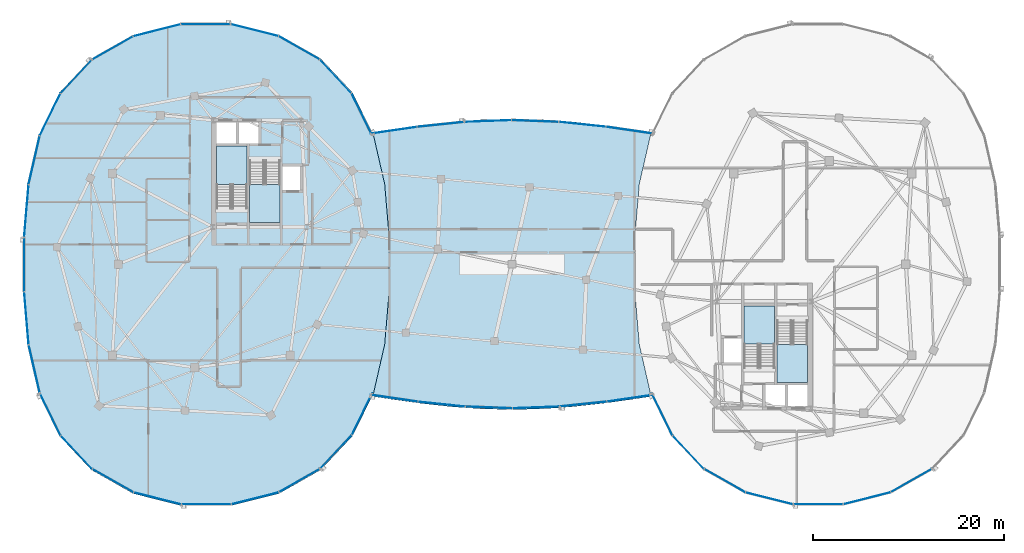
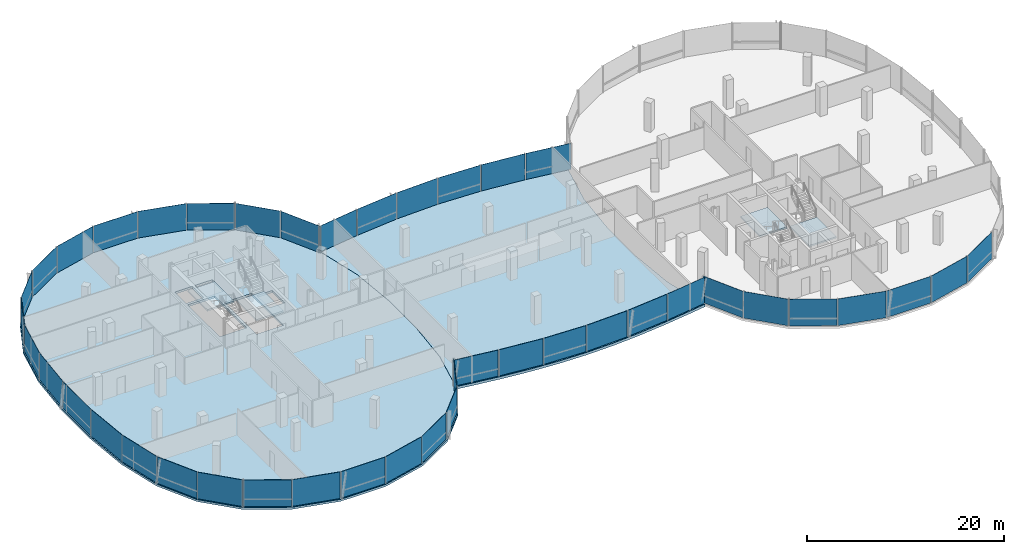
# One storey, part 12 of 25: 42 plates, 6 slabs, 11 elements without a shape of their own.
"""IFC4 building model written with IfcOpenShell, lengths in metres."""

from ifc_helpers import new_model, si_unit, direction, frame, origin, origin_2d, place, context, subcontext, project, spatial, polyline, rectangle, outline, extrude, material, layer, layer_set, type_object, element, aggregate, save


model = new_model("IFC4")

# Units and contexts
model_context = context("Model", 3, precision=1e-05, world=origin(), true_north=direction((0.0, 1.0)))
body_context = subcontext(model_context, "Body", "Model", "MODEL_VIEW")
ifc_project = project(units=[si_unit("LENGTHUNIT", "METRE"), si_unit("AREAUNIT", "SQUARE_METRE"), si_unit("VOLUMEUNIT", "CUBIC_METRE"), si_unit("PLANEANGLEUNIT", "RADIAN"), si_unit("MASSUNIT", "GRAM", prefix="KILO"), si_unit("THERMODYNAMICTEMPERATUREUNIT", "KELVIN"), si_unit("POWERUNIT", "WATT")], contexts=[model_context])

# Site, building, storey
site_placement = place(None, origin())
site = spatial("IfcSite", under=ifc_project, at=site_placement, CompositionType="ELEMENT")
building_placement = place(site_placement, origin())
building = spatial("IfcBuilding", under=site, at=building_placement, Name="Cundina Bronze Exchange", CompositionType="ELEMENT")
storey_placement = place(building_placement, frame((0.0, 0.0, 254.0)))
storey = spatial("IfcBuildingStorey", under=building, at=storey_placement, Name="L67", CompositionType="ELEMENT", Elevation=254.0)

# Curtain wall, plates
ifc_material_1 = material(Name="Anodised Bronze Aluminium 6063-T6", Category="aluminium")
curtain_wall_type = type_object("IfcCurtainWallType", Name="CWS-SKG-BRG", PredefinedType="NOTDEFINED", material=ifc_material_1)
curtain_wall_1_placement = place(storey_placement, origin())
curtain_wall_1 = element("IfcCurtainWall", 1, at=curtain_wall_1_placement, inside=storey, type_object=curtain_wall_type, Name="L67 CW-06 Curtain Wall Run CWR-L67-W1", PredefinedType="NOTDEFINED")
ifc_material_2 = material(Name="Heat-Strengthened Solar-Control Bronze Safety Glass 28mm", Category="glass")
ifc_layer_1 = layer(ifc_material_2, 0.028076171875, Name="Heat-Strengthened Solar-Control Bronze Safety Glass 28mm", Category="glass")
ifc_layer_set_1 = layer_set([ifc_layer_1], Name="Heat-Strengthened Solar-Control Bronze Safety Glass 28mm")
plate_type_1 = type_object("IfcPlateType", Name="PLT-GLZ-VIS28", PredefinedType="CURTAIN_PANEL", material=ifc_layer_set_1)
plate_1_placement = place(storey_placement, frame((-15.69873046875, 15.68017578125, 0.02001953125), z_axis=(0.0, 0.0, 1.0), x_axis=(-0.440503330345, 0.897750976582, 0.0)))
plate_1 = element("IfcPlate", 2, at=plate_1_placement, type_object=plate_type_1, Name="CW-06 Glazed Panel 1", PredefinedType="CURTAIN_PANEL", context=body_context, shape_type="SweptSolid", body=[
    extrude(rectangle(XDim=4.863525390625, YDim=0.028076171875, at=origin_2d()), origin(), (0.0, 0.0, 1.0), 3.300048828125),
])
plate_2_placement = place(storey_placement, frame((-18.431884765625, 19.64501953125, 0.02001953125), z_axis=(0.0, 0.0, 1.0), x_axis=(-0.684343512797, 0.72915976061, 0.0)))
plate_2 = element("IfcPlate", 3, at=plate_2_placement, type_object=plate_type_1, Name="CW-06 Glazed Panel 2", PredefinedType="CURTAIN_PANEL", context=body_context, shape_type="SweptSolid", body=[
    extrude(rectangle(XDim=4.773193359375, YDim=0.028076171875, at=origin_2d()), origin(), (0.0, 0.0, 1.0), 3.300048828125),
])
plate_3_placement = place(storey_placement, frame((-26.890625, 24.4814453125, 0.02001953125), z_axis=(0.0, 0.0, 1.0), x_axis=(-0.969731542251, 0.244173577528, 0.0)))
plate_3 = element("IfcPlate", 4, at=plate_3_placement, type_object=plate_type_1, Name="CW-06 Glazed Panel 4", PredefinedType="CURTAIN_PANEL", context=body_context, shape_type="SweptSolid", body=[
    extrude(rectangle(XDim=5.0908203125, YDim=0.028076171875, at=origin_2d()), origin(), (0.0, 0.0, 1.0), 3.300048828125),
])
plate_4_placement = place(storey_placement, frame((-32.0, 25.110107421875, 0.02001953125), z_axis=(0.0, 0.0, 1.0), x_axis=(-1.0, 0.0, 0.0)))
plate_4 = element("IfcPlate", 5, at=plate_4_placement, type_object=plate_type_1, Name="CW-06 Glazed Panel 5", PredefinedType="CURTAIN_PANEL", context=body_context, shape_type="SweptSolid", body=[
    extrude(rectangle(XDim=5.16796875, YDim=0.028076171875, at=origin_2d()), origin(), (0.0, 0.0, 1.0), 3.300048828125),
])
plate_5_placement = place(storey_placement, frame((-37.109375, 24.4814453125, 0.02001953125), z_axis=(0.0, 0.0, 1.0), x_axis=(-0.969731542251, -0.244173577528, 0.0)))
plate_5 = element("IfcPlate", 6, at=plate_5_placement, type_object=plate_type_1, Name="CW-06 Glazed Panel 6", PredefinedType="CURTAIN_PANEL", context=body_context, shape_type="SweptSolid", body=[
    extrude(rectangle(XDim=5.0908203125, YDim=0.028076171875, at=origin_2d()), origin(), (0.0, 0.0, 1.0), 3.300048828125),
])
plate_6_placement = place(storey_placement, frame((-41.76171875, 22.6279296875, 0.02001953125), z_axis=(0.0, 0.0, 1.0), x_axis=(-0.869572506985, -0.493805280547, 0.0)))
plate_6 = element("IfcPlate", 7, at=plate_6_placement, type_object=plate_type_1, Name="CW-06 Glazed Panel 7", PredefinedType="CURTAIN_PANEL", context=body_context, shape_type="SweptSolid", body=[
    extrude(rectangle(XDim=4.907958984375, YDim=0.028076171875, at=origin_2d()), origin(), (0.0, 0.0, 1.0), 3.300048828125),
])

curtain_wall_2_placement = place(storey_placement, origin())
curtain_wall_2 = element("IfcCurtainWall", 8, at=curtain_wall_2_placement, inside=storey, type_object=curtain_wall_type, Name="L67 CW-06 Curtain Wall Run CWR-L67-W2", PredefinedType="NOTDEFINED")
plate_7_placement = place(storey_placement, frame((-45.568115234375, 19.64501953125, 0.02001953125), z_axis=(0.0, 0.0, 1.0), x_axis=(-0.684343512797, -0.72915976061, 0.0)))
plate_7 = element("IfcPlate", 9, at=plate_7_placement, type_object=plate_type_1, Name="CW-06 Glazed Panel 1", PredefinedType="CURTAIN_PANEL", context=body_context, shape_type="SweptSolid", body=[
    extrude(rectangle(XDim=4.773193359375, YDim=0.028076171875, at=origin_2d()), origin(), (0.0, 0.0, 1.0), 3.300048828125),
])
plate_8_placement = place(storey_placement, frame((-49.96923828125, 10.922607421875, 0.02001953125), z_axis=(0.0, 0.0, 1.0), x_axis=(-0.223284141459, -0.974753400698, 0.0)))
plate_8 = element("IfcPlate", 10, at=plate_8_placement, type_object=plate_type_1, Name="CW-06 Glazed Panel 3", PredefinedType="CURTAIN_PANEL", context=body_context, shape_type="SweptSolid", body=[
    extrude(rectangle(XDim=5.167724609375, YDim=0.028076171875, at=origin_2d()), origin(), (0.0, 0.0, 1.0), 3.300048828125),
])
plate_9_placement = place(storey_placement, frame((-50.78662109375, 5.605712890625, 0.02001953125), z_axis=(0.0, 0.0, 1.0), x_axis=(-0.083747411454, -0.996487015006, 0.0)))
plate_9 = element("IfcPlate", 11, at=plate_9_placement, type_object=plate_type_1, Name="CW-06 Glazed Panel 4", PredefinedType="CURTAIN_PANEL", context=body_context, shape_type="SweptSolid", body=[
    extrude(rectangle(XDim=5.474609375, YDim=0.028076171875, at=origin_2d()), origin(), (0.0, 0.0, 1.0), 3.300048828125),
])
plate_10_placement = place(storey_placement, frame((-51.01904296875, 0.0, 0.02001953125), z_axis=(0.0, 0.0, 1.0), x_axis=(0.0, -1.0, 0.0)))
plate_10 = element("IfcPlate", 12, at=plate_10_placement, type_object=plate_type_1, Name="CW-06 Glazed Panel 5", PredefinedType="CURTAIN_PANEL", context=body_context, shape_type="SweptSolid", body=[
    extrude(rectangle(XDim=5.597900390625, YDim=0.028076171875, at=origin_2d()), origin(), (0.0, 0.0, 1.0), 3.300048828125),
])
plate_11_placement = place(storey_placement, frame((-50.78662109375, -5.605712890625, 0.02001953125), z_axis=(0.0, 0.0, 1.0), x_axis=(0.083747411454, -0.996487015006, 0.0)))
plate_11 = element("IfcPlate", 13, at=plate_11_placement, type_object=plate_type_1, Name="CW-06 Glazed Panel 6", PredefinedType="CURTAIN_PANEL", context=body_context, shape_type="SweptSolid", body=[
    extrude(rectangle(XDim=5.474609375, YDim=0.028076171875, at=origin_2d()), origin(), (0.0, 0.0, 1.0), 3.300048828125),
])

curtain_wall_3_placement = place(storey_placement, origin())
curtain_wall_3 = element("IfcCurtainWall", 14, at=curtain_wall_3_placement, inside=storey, type_object=curtain_wall_type, Name="L67 CW-06 Curtain Wall Run CWR-L67-W3", PredefinedType="NOTDEFINED")
plate_12_placement = place(storey_placement, frame((-45.568115234375, -19.64501953125, 0.02001953125), z_axis=(0.0, 0.0, 1.0), x_axis=(0.684343512797, -0.72915976061, 0.0)))
plate_12 = element("IfcPlate", 15, at=plate_12_placement, type_object=plate_type_1, Name="CW-06 Glazed Panel 2", PredefinedType="CURTAIN_PANEL", context=body_context, shape_type="SweptSolid", body=[
    extrude(rectangle(XDim=4.773193359375, YDim=0.028076171875, at=origin_2d()), origin(), (0.0, 0.0, 1.0), 3.300048828125),
])
plate_13_placement = place(storey_placement, frame((-41.76171875, -22.6279296875, 0.02001953125), z_axis=(0.0, 0.0, 1.0), x_axis=(0.869572506985, -0.493805280547, 0.0)))
plate_13 = element("IfcPlate", 16, at=plate_13_placement, type_object=plate_type_1, Name="CW-06 Glazed Panel 3", PredefinedType="CURTAIN_PANEL", context=body_context, shape_type="SweptSolid", body=[
    extrude(rectangle(XDim=4.907958984375, YDim=0.028076171875, at=origin_2d()), origin(), (0.0, 0.0, 1.0), 3.300048828125),
])
plate_14_placement = place(storey_placement, frame((-37.109375, -24.4814453125, 0.02001953125), z_axis=(0.0, 0.0, 1.0), x_axis=(0.969731542251, -0.244173577528, 0.0)))
plate_14 = element("IfcPlate", 17, at=plate_14_placement, type_object=plate_type_1, Name="CW-06 Glazed Panel 4", PredefinedType="CURTAIN_PANEL", context=body_context, shape_type="SweptSolid", body=[
    extrude(rectangle(XDim=5.0908203125, YDim=0.028076171875, at=origin_2d()), origin(), (0.0, 0.0, 1.0), 3.300048828125),
])
plate_15_placement = place(storey_placement, frame((-32.0, -25.110107421875, 0.02001953125), z_axis=(0.0, 0.0, 1.0), x_axis=(1.0, 0.0, 0.0)))
plate_15 = element("IfcPlate", 18, at=plate_15_placement, type_object=plate_type_1, Name="CW-06 Glazed Panel 5", PredefinedType="CURTAIN_PANEL", context=body_context, shape_type="SweptSolid", body=[
    extrude(rectangle(XDim=5.16796875, YDim=0.028076171875, at=origin_2d()), origin(), (0.0, 0.0, 1.0), 3.300048828125),
])
plate_16_placement = place(storey_placement, frame((-22.23828125, -22.6279296875, 0.02001953125), z_axis=(0.0, 0.0, 1.0), x_axis=(0.869572506985, 0.493805280547, 0.0)))
plate_16 = element("IfcPlate", 19, at=plate_16_placement, type_object=plate_type_1, Name="CW-06 Glazed Panel 7", PredefinedType="CURTAIN_PANEL", context=body_context, shape_type="SweptSolid", body=[
    extrude(rectangle(XDim=4.907958984375, YDim=0.028076171875, at=origin_2d()), origin(), (0.0, 0.0, 1.0), 3.300048828125),
])

curtain_wall_4_placement = place(storey_placement, origin())
curtain_wall_4 = element("IfcCurtainWall", 20, at=curtain_wall_4_placement, inside=storey, type_object=curtain_wall_type, Name="L67 CW-06 Curtain Wall Run CWR-L67-W4", PredefinedType="NOTDEFINED")
plate_17_placement = place(storey_placement, frame((-18.431884765625, -19.64501953125, 0.02001953125), z_axis=(0.0, 0.0, 1.0), x_axis=(0.684343512797, 0.72915976061, 0.0)))
plate_17 = element("IfcPlate", 21, at=plate_17_placement, type_object=plate_type_1, Name="CW-06 Glazed Panel 1", PredefinedType="CURTAIN_PANEL", context=body_context, shape_type="SweptSolid", body=[
    extrude(rectangle(XDim=4.773193359375, YDim=0.028076171875, at=origin_2d()), origin(), (0.0, 0.0, 1.0), 3.300048828125),
])
plate_18_placement = place(storey_placement, frame((-15.69873046875, -15.68017578125, 0.02001953125), z_axis=(0.0, 0.0, 1.0), x_axis=(0.440503330345, 0.897750976582, 0.0)))
plate_18 = element("IfcPlate", 22, at=plate_18_placement, type_object=plate_type_1, Name="CW-06 Glazed Panel 2", PredefinedType="CURTAIN_PANEL", context=body_context, shape_type="SweptSolid", body=[
    extrude(rectangle(XDim=4.863525390625, YDim=0.028076171875, at=origin_2d()), origin(), (0.0, 0.0, 1.0), 3.300048828125),
])
aggregate(curtain_wall_4, [plate_17, plate_18])

curtain_wall_5_placement = place(storey_placement, origin())
curtain_wall_5 = element("IfcCurtainWall", 23, at=curtain_wall_5_placement, inside=storey, type_object=curtain_wall_type, Name="L67 CW-06 Curtain Wall Run CWR-L67-E3", PredefinedType="NOTDEFINED")
plate_19_placement = place(storey_placement, frame((18.431884765625, -19.64501953125, 0.02001953125), z_axis=(0.0, 0.0, 1.0), x_axis=(0.684343512797, -0.72915976061, 0.0)))
plate_19 = element("IfcPlate", 24, at=plate_19_placement, type_object=plate_type_1, Name="CW-06 Glazed Panel 2", PredefinedType="CURTAIN_PANEL", context=body_context, shape_type="SweptSolid", body=[
    extrude(rectangle(XDim=4.773193359375, YDim=0.028076171875, at=origin_2d()), origin(), (0.0, 0.0, 1.0), 3.300048828125),
])
plate_20_placement = place(storey_placement, frame((22.23828125, -22.6279296875, 0.02001953125), z_axis=(0.0, 0.0, 1.0), x_axis=(0.869572506985, -0.493805280547, 0.0)))
plate_20 = element("IfcPlate", 25, at=plate_20_placement, type_object=plate_type_1, Name="CW-06 Glazed Panel 3", PredefinedType="CURTAIN_PANEL", context=body_context, shape_type="SweptSolid", body=[
    extrude(rectangle(XDim=4.907958984375, YDim=0.028076171875, at=origin_2d()), origin(), (0.0, 0.0, 1.0), 3.300048828125),
])
plate_21_placement = place(storey_placement, frame((26.890625, -24.4814453125, 0.02001953125), z_axis=(0.0, 0.0, 1.0), x_axis=(0.969731542251, -0.244173577528, 0.0)))
plate_21 = element("IfcPlate", 26, at=plate_21_placement, type_object=plate_type_1, Name="CW-06 Glazed Panel 4", PredefinedType="CURTAIN_PANEL", context=body_context, shape_type="SweptSolid", body=[
    extrude(rectangle(XDim=5.0908203125, YDim=0.028076171875, at=origin_2d()), origin(), (0.0, 0.0, 1.0), 3.300048828125),
])
plate_22_placement = place(storey_placement, frame((32.0, -25.110107421875, 0.02001953125), z_axis=(0.0, 0.0, 1.0), x_axis=(1.0, 0.0, 0.0)))
plate_22 = element("IfcPlate", 27, at=plate_22_placement, type_object=plate_type_1, Name="CW-06 Glazed Panel 5", PredefinedType="CURTAIN_PANEL", context=body_context, shape_type="SweptSolid", body=[
    extrude(rectangle(XDim=5.16796875, YDim=0.028076171875, at=origin_2d()), origin(), (0.0, 0.0, 1.0), 3.300048828125),
])
plate_23_placement = place(storey_placement, frame((41.76171875, -22.6279296875, 0.02001953125), z_axis=(0.0, 0.0, 1.0), x_axis=(0.869572506985, 0.493805280547, 0.0)))
plate_23 = element("IfcPlate", 28, at=plate_23_placement, type_object=plate_type_1, Name="CW-06 Glazed Panel 7", PredefinedType="CURTAIN_PANEL", context=body_context, shape_type="SweptSolid", body=[
    extrude(rectangle(XDim=4.907958984375, YDim=0.028076171875, at=origin_2d()), origin(), (0.0, 0.0, 1.0), 3.300048828125),
])

curtain_wall_6_placement = place(storey_placement, origin())
curtain_wall_6 = element("IfcCurtainWall", 29, at=curtain_wall_6_placement, inside=storey, type_object=curtain_wall_type, Name="L67 CW-06 Curtain Wall Run CWR-L67-BRGS", PredefinedType="NOTDEFINED")
plate_24_placement = place(storey_placement, frame((-12.356201171875, -14.012451171875, 0.02001953125), z_axis=(0.0, 0.0, 1.0), x_axis=(0.989528308409, -0.144338930496, 0.0)))
plate_24 = element("IfcPlate", 30, at=plate_24_placement, type_object=plate_type_1, Name="CW-06 Glazed Panel 1", PredefinedType="CURTAIN_PANEL", context=body_context, shape_type="SweptSolid", body=[
    extrude(rectangle(XDim=4.912353515625, YDim=0.028076171875, at=origin_2d()), origin(), (0.0, 0.0, 1.0), 3.239990234375),
])
plate_25_placement = place(storey_placement, frame((-7.41162109375, -14.629150390625, 0.02001953125), z_axis=(0.0, 0.0, 1.0), x_axis=(0.994672274174, -0.103087666525, 0.0)))
plate_25 = element("IfcPlate", 31, at=plate_25_placement, type_object=plate_type_1, Name="CW-06 Glazed Panel 2", PredefinedType="CURTAIN_PANEL", context=body_context, shape_type="SweptSolid", body=[
    extrude(rectangle(XDim=4.886474609375, YDim=0.028076171875, at=origin_2d()), origin(), (0.0, 0.0, 1.0), 3.239990234375),
])
plate_26_placement = place(storey_placement, frame((-2.47021484375, -14.9775390625, 0.02001953125), z_axis=(0.0, 0.0, 1.0), x_axis=(0.999302568116, -0.037341362551, 0.0)))
plate_26 = element("IfcPlate", 32, at=plate_26_placement, type_object=plate_type_1, Name="CW-06 Glazed Panel 3", PredefinedType="CURTAIN_PANEL", context=body_context, shape_type="SweptSolid", body=[
    extrude(rectangle(XDim=4.863525390625, YDim=0.028076171875, at=origin_2d()), origin(), (0.0, 0.0, 1.0), 3.239990234375),
])
plate_27_placement = place(storey_placement, frame((7.41162109375, -14.629150390625, 0.02001953125), z_axis=(0.0, 0.0, 1.0), x_axis=(0.994672274174, 0.103087666525, 0.0)))
plate_27 = element("IfcPlate", 33, at=plate_27_placement, type_object=plate_type_1, Name="CW-06 Glazed Panel 5", PredefinedType="CURTAIN_PANEL", context=body_context, shape_type="SweptSolid", body=[
    extrude(rectangle(XDim=4.886474609375, YDim=0.028076171875, at=origin_2d()), origin(), (0.0, 0.0, 1.0), 3.239990234375),
])
plate_28_placement = place(storey_placement, frame((12.356201171875, -14.012451171875, 0.02001953125), z_axis=(0.0, 0.0, 1.0), x_axis=(0.989528308409, 0.144338930496, 0.0)))
plate_28 = element("IfcPlate", 34, at=plate_28_placement, type_object=plate_type_1, Name="CW-06 Glazed Panel 6", PredefinedType="CURTAIN_PANEL", context=body_context, shape_type="SweptSolid", body=[
    extrude(rectangle(XDim=4.912353515625, YDim=0.028076171875, at=origin_2d()), origin(), (0.0, 0.0, 1.0), 3.239990234375),
])

curtain_wall_7_placement = place(storey_placement, origin())
curtain_wall_7 = element("IfcCurtainWall", 35, at=curtain_wall_7_placement, inside=storey, type_object=curtain_wall_type, Name="L67 CW-06 Curtain Wall Run CWR-L67-BRGN", PredefinedType="NOTDEFINED")
plate_29_placement = place(storey_placement, frame((7.41162109375, 14.629150390625, 0.02001953125), z_axis=(0.0, 0.0, 1.0), x_axis=(-0.994672274174, 0.103087666525, 0.0)))
plate_29 = element("IfcPlate", 36, at=plate_29_placement, type_object=plate_type_1, Name="CW-06 Glazed Panel 2", PredefinedType="CURTAIN_PANEL", context=body_context, shape_type="SweptSolid", body=[
    extrude(rectangle(XDim=4.886474609375, YDim=0.028076171875, at=origin_2d()), origin(), (0.0, 0.0, 1.0), 3.239990234375),
])
plate_30_placement = place(storey_placement, frame((2.47021484375, 14.9775390625, 0.02001953125), z_axis=(0.0, 0.0, 1.0), x_axis=(-0.999302568116, 0.037341362551, 0.0)))
plate_30 = element("IfcPlate", 37, at=plate_30_placement, type_object=plate_type_1, Name="CW-06 Glazed Panel 3", PredefinedType="CURTAIN_PANEL", context=body_context, shape_type="SweptSolid", body=[
    extrude(rectangle(XDim=4.863525390625, YDim=0.028076171875, at=origin_2d()), origin(), (0.0, 0.0, 1.0), 3.239990234375),
])
plate_31_placement = place(storey_placement, frame((-2.47021484375, 14.9775390625, 0.02001953125), z_axis=(0.0, 0.0, 1.0), x_axis=(-0.999302568116, -0.037341362551, 0.0)))
plate_31 = element("IfcPlate", 38, at=plate_31_placement, type_object=plate_type_1, Name="CW-06 Glazed Panel 4", PredefinedType="CURTAIN_PANEL", context=body_context, shape_type="SweptSolid", body=[
    extrude(rectangle(XDim=4.863525390625, YDim=0.028076171875, at=origin_2d()), origin(), (0.0, 0.0, 1.0), 3.239990234375),
])
plate_32_placement = place(storey_placement, frame((-7.41162109375, 14.629150390625, 0.02001953125), z_axis=(0.0, 0.0, 1.0), x_axis=(-0.994672274174, -0.103087666525, 0.0)))
plate_32 = element("IfcPlate", 39, at=plate_32_placement, type_object=plate_type_1, Name="CW-06 Glazed Panel 5", PredefinedType="CURTAIN_PANEL", context=body_context, shape_type="SweptSolid", body=[
    extrude(rectangle(XDim=4.886474609375, YDim=0.028076171875, at=origin_2d()), origin(), (0.0, 0.0, 1.0), 3.239990234375),
])

# Plate
ifc_material_3 = material(Name="Dark Bronze Spandrel Glass Panel 32mm", Category="glass")
ifc_layer_2 = layer(ifc_material_3, 0.031982421875, Name="Dark Bronze Spandrel Glass Panel 32mm", Category="glass")
ifc_layer_set_2 = layer_set([ifc_layer_2], Name="Dark Bronze Spandrel Glass Panel 32mm")
plate_type_2 = type_object("IfcPlateType", Name="PLT-SPN-BRZ32", PredefinedType="CURTAIN_PANEL", material=ifc_layer_set_2)
plate_33_placement = place(storey_placement, frame((-22.23828125, 22.6279296875, 0.02001953125), z_axis=(0.0, 0.0, 1.0), x_axis=(-0.869572506985, 0.493805280547, 0.0)))
plate_33 = element("IfcPlate", 40, at=plate_33_placement, type_object=plate_type_2, Name="CW-06 Glazed Panel 3", PredefinedType="CURTAIN_PANEL", context=body_context, shape_type="SweptSolid", body=[
    extrude(rectangle(XDim=4.907958984375, YDim=0.031982421875, at=origin_2d()), origin(), (0.0, 0.0, 1.0), 3.300048828125),
])

aggregate(curtain_wall_1, [plate_1, plate_2, plate_33, plate_3, plate_4, plate_5, plate_6])

plate_34_placement = place(storey_placement, frame((-48.30126953125, 15.68017578125, 0.02001953125), z_axis=(0.0, 0.0, 1.0), x_axis=(-0.440503330345, -0.897750976582, 0.0)))
plate_34 = element("IfcPlate", 41, at=plate_34_placement, type_object=plate_type_2, Name="CW-06 Glazed Panel 2", PredefinedType="CURTAIN_PANEL", context=body_context, shape_type="SweptSolid", body=[
    extrude(rectangle(XDim=4.863525390625, YDim=0.031982421875, at=origin_2d()), origin(), (0.0, 0.0, 1.0), 3.300048828125),
])

plate_35_placement = place(storey_placement, frame((-49.96923828125, -10.922607421875, 0.02001953125), z_axis=(0.0, 0.0, 1.0), x_axis=(0.223284141459, -0.974753400698, 0.0)))
plate_35 = element("IfcPlate", 42, at=plate_35_placement, type_object=plate_type_2, Name="CW-06 Glazed Panel 7", PredefinedType="CURTAIN_PANEL", context=body_context, shape_type="SweptSolid", body=[
    extrude(rectangle(XDim=5.167724609375, YDim=0.031982421875, at=origin_2d()), origin(), (0.0, 0.0, 1.0), 3.300048828125),
])

aggregate(curtain_wall_2, [plate_7, plate_34, plate_8, plate_9, plate_10, plate_11, plate_35])

plate_36_placement = place(storey_placement, frame((-48.30126953125, -15.68017578125, 0.02001953125), z_axis=(0.0, 0.0, 1.0), x_axis=(0.440503330345, -0.897750976582, 0.0)))
plate_36 = element("IfcPlate", 43, at=plate_36_placement, type_object=plate_type_2, Name="CW-06 Glazed Panel 1", PredefinedType="CURTAIN_PANEL", context=body_context, shape_type="SweptSolid", body=[
    extrude(rectangle(XDim=4.863525390625, YDim=0.031982421875, at=origin_2d()), origin(), (0.0, 0.0, 1.0), 3.300048828125),
])

plate_37_placement = place(storey_placement, frame((-26.890625, -24.4814453125, 0.02001953125), z_axis=(0.0, 0.0, 1.0), x_axis=(0.969731542251, 0.244173577528, 0.0)))
plate_37 = element("IfcPlate", 44, at=plate_37_placement, type_object=plate_type_2, Name="CW-06 Glazed Panel 6", PredefinedType="CURTAIN_PANEL", context=body_context, shape_type="SweptSolid", body=[
    extrude(rectangle(XDim=5.0908203125, YDim=0.031982421875, at=origin_2d()), origin(), (0.0, 0.0, 1.0), 3.300048828125),
])

aggregate(curtain_wall_3, [plate_36, plate_12, plate_13, plate_14, plate_15, plate_37, plate_16])

plate_38_placement = place(storey_placement, frame((15.69873046875, -15.68017578125, 0.02001953125), z_axis=(0.0, 0.0, 1.0), x_axis=(0.440503330345, -0.897750976582, 0.0)))
plate_38 = element("IfcPlate", 45, at=plate_38_placement, type_object=plate_type_2, Name="CW-06 Glazed Panel 1", PredefinedType="CURTAIN_PANEL", context=body_context, shape_type="SweptSolid", body=[
    extrude(rectangle(XDim=4.863525390625, YDim=0.031982421875, at=origin_2d()), origin(), (0.0, 0.0, 1.0), 3.300048828125),
])

plate_39_placement = place(storey_placement, frame((37.109375, -24.4814453125, 0.02001953125), z_axis=(0.0, 0.0, 1.0), x_axis=(0.969731542251, 0.244173577528, 0.0)))
plate_39 = element("IfcPlate", 46, at=plate_39_placement, type_object=plate_type_2, Name="CW-06 Glazed Panel 6", PredefinedType="CURTAIN_PANEL", context=body_context, shape_type="SweptSolid", body=[
    extrude(rectangle(XDim=5.0908203125, YDim=0.031982421875, at=origin_2d()), origin(), (0.0, 0.0, 1.0), 3.300048828125),
])

aggregate(curtain_wall_5, [plate_38, plate_19, plate_20, plate_21, plate_22, plate_39, plate_23])

plate_40_placement = place(storey_placement, frame((2.47021484375, -14.9775390625, 0.02001953125), z_axis=(0.0, 0.0, 1.0), x_axis=(0.999302568116, 0.037341362551, 0.0)))
plate_40 = element("IfcPlate", 47, at=plate_40_placement, type_object=plate_type_2, Name="CW-06 Glazed Panel 4", PredefinedType="CURTAIN_PANEL", context=body_context, shape_type="SweptSolid", body=[
    extrude(rectangle(XDim=4.863525390625, YDim=0.031982421875, at=origin_2d()), origin(), (0.0, 0.0, 1.0), 3.239990234375),
])

aggregate(curtain_wall_6, [plate_24, plate_25, plate_26, plate_40, plate_27, plate_28])

plate_41_placement = place(storey_placement, frame((12.356201171875, 14.012451171875, 0.02001953125), z_axis=(0.0, 0.0, 1.0), x_axis=(-0.989528308409, 0.144338930496, 0.0)))
plate_41 = element("IfcPlate", 48, at=plate_41_placement, type_object=plate_type_2, Name="CW-06 Glazed Panel 1", PredefinedType="CURTAIN_PANEL", context=body_context, shape_type="SweptSolid", body=[
    extrude(rectangle(XDim=4.912353515625, YDim=0.031982421875, at=origin_2d()), origin(), (0.0, 0.0, 1.0), 3.239990234375),
])

plate_42_placement = place(storey_placement, frame((-12.356201171875, 14.012451171875, 0.02001953125), z_axis=(0.0, 0.0, 1.0), x_axis=(-0.989528308409, -0.144338930496, 0.0)))
plate_42 = element("IfcPlate", 49, at=plate_42_placement, type_object=plate_type_2, Name="CW-06 Glazed Panel 6", PredefinedType="CURTAIN_PANEL", context=body_context, shape_type="SweptSolid", body=[
    extrude(rectangle(XDim=4.912353515625, YDim=0.031982421875, at=origin_2d()), origin(), (0.0, 0.0, 1.0), 3.239990234375),
])

aggregate(curtain_wall_7, [plate_41, plate_29, plate_30, plate_31, plate_32, plate_42])

# Slab
ifc_material_4 = material(Name="Concrete C50/60", Category="concrete")
ifc_layer_3 = layer(ifc_material_4, 0.320068359375, Name="Concrete C50/60", Category="concrete")
ifc_layer_set_3 = layer_set([ifc_layer_3], Name="Concrete C50/60")
slab_type_1 = type_object("IfcSlabType", Name="SLB-BRG-320", PredefinedType="FLOOR", material=ifc_layer_set_3)
slab_1_placement = place(storey_placement, frame((0.0, 0.0, -0.320068359375)))
element("IfcSlab", 50, at=slab_1_placement, inside=storey, type_object=slab_type_1, Name="L67 Sky-Gate Bridge Deck Slab", PredefinedType="FLOOR", context=body_context, shape_type="SweptSolid", body=[
    extrude(outline(polyline([(12.800048828125, -14.093994140625), (9.60009765625, -14.5400390625), (6.39990234375, -14.89404296875), (3.199951171875, -15.1220703125), (0.0, -15.199951171875), (-3.199951171875, -15.1220703125), (-6.39990234375, -14.89404296875), (-9.60009765625, -14.5400390625), (-12.800048828125, -14.093994140625), (-14.634033203125, -13.81103515625), (-14.489013671875, -13.514892578125), (-14.489013671875, -13.514892578125), (-14.489013671875, -13.513916015625), (-13.31494140625, -8.388916015625), (-13.31494140625, -8.388916015625), (-12.84912109375, -2.843994140625), (-12.84912109375, -2.843994140625), (-12.84912109375, 2.843994140625), (-12.84912109375, 2.843994140625), (-13.31494140625, 8.388916015625), (-13.31494140625, 8.388916015625), (-14.489013671875, 13.513916015625), (-14.489013671875, 13.514892578125), (-14.489013671875, 13.514892578125), (-14.634033203125, 13.81103515625), (-12.800048828125, 14.093994140625), (-9.60009765625, 14.5400390625), (-6.39990234375, 14.89404296875), (-3.199951171875, 15.1220703125), (0.0, 15.199951171875), (3.199951171875, 15.1220703125), (6.39990234375, 14.89404296875), (9.60009765625, 14.5400390625), (12.800048828125, 14.093994140625), (14.634033203125, 13.81103515625), (14.489013671875, 13.514892578125), (14.489013671875, 13.514892578125), (14.489013671875, 13.513916015625), (13.31494140625, 8.388916015625), (13.31494140625, 8.388916015625), (12.84912109375, 2.843994140625), (12.84912109375, 2.843994140625), (12.84912109375, -2.843994140625), (12.84912109375, -2.843994140625), (13.31494140625, -8.388916015625), (13.31494140625, -8.388916015625), (14.489013671875, -13.513916015625), (14.489013671875, -13.514892578125), (14.489013671875, -13.514892578125), (14.634033203125, -13.81103515625), (12.800048828125, -14.093994140625)])), origin(), (0.0, 0.0, 1.0), 0.320068359375),
])

# Stair, slab
ifc_material_5 = material(Name="Concrete C40/50", Category="concrete")
stair_type = type_object("IfcStairType", Name="STR-OFF-360", PredefinedType="HALF_TURN_STAIR", material=ifc_material_5)
stair_1_placement = place(storey_placement, origin())
stair_1 = element("IfcStair", 51, at=stair_1_placement, inside=storey, type_object=stair_type, Name="L67 Smokeproof Exit Stair W1", PredefinedType="HALF_TURN_STAIR")
ifc_layer_4 = layer(ifc_material_5, 0.199951171875, Name="Concrete C40/50", Category="concrete")
ifc_layer_set_4 = layer_set([ifc_layer_4], Name="Concrete C40/50")
slab_type_2 = type_object("IfcSlabType", Name="SLB-LND-200", PredefinedType="LANDING", material=ifc_layer_set_4)
slab_2_placement = place(storey_placement, frame((0.0, 0.0, 1.60009765625)))
slab_2 = element("IfcSlab", 52, at=slab_2_placement, type_object=slab_type_2, Name="ST-W1 landing 1", PredefinedType="LANDING", context=body_context, shape_type="SweptSolid", body=[
    extrude(outline(polyline([(-27.739990234375, 8.3701171875), (-27.739990234375, 12.35009765625), (-30.89990234375, 12.35009765625), (-30.89990234375, 8.3701171875), (-27.739990234375, 8.3701171875)])), origin(), (0.0, 0.0, 1.0), 0.199951171875),
])
aggregate(stair_1, [slab_2])

stair_2_placement = place(storey_placement, origin())
stair_2 = element("IfcStair", 53, at=stair_2_placement, inside=storey, type_object=stair_type, Name="L67 Smokeproof Exit Stair W2", PredefinedType="HALF_TURN_STAIR")
slab_3_placement = place(storey_placement, frame((0.0, 0.0, 1.60009765625)))
slab_3 = element("IfcSlab", 54, at=slab_3_placement, type_object=slab_type_2, Name="ST-W2 landing 1", PredefinedType="LANDING", context=body_context, shape_type="SweptSolid", body=[
    extrude(outline(polyline([(-27.43994140625, 8.330078125), (-27.43994140625, 4.35009765625), (-24.280029296875, 4.35009765625), (-24.280029296875, 8.330078125), (-27.43994140625, 8.330078125)])), origin(), (0.0, 0.0, 1.0), 0.199951171875),
])
aggregate(stair_2, [slab_3])

stair_3_placement = place(storey_placement, origin())
stair_3 = element("IfcStair", 55, at=stair_3_placement, inside=storey, type_object=stair_type, Name="L67 Smokeproof Exit Stair E1", PredefinedType="HALF_TURN_STAIR")
slab_4_placement = place(storey_placement, frame((0.0, 0.0, 1.60009765625)))
slab_4 = element("IfcSlab", 56, at=slab_4_placement, type_object=slab_type_2, Name="ST-E1 landing 1", PredefinedType="LANDING", context=body_context, shape_type="SweptSolid", body=[
    extrude(outline(polyline([(27.739990234375, -8.3701171875), (27.739990234375, -12.35009765625), (30.89990234375, -12.35009765625), (30.89990234375, -8.3701171875), (27.739990234375, -8.3701171875)])), origin(), (0.0, 0.0, 1.0), 0.199951171875),
])
aggregate(stair_3, [slab_4])

stair_4_placement = place(storey_placement, origin())
stair_4 = element("IfcStair", 57, at=stair_4_placement, inside=storey, type_object=stair_type, Name="L67 Smokeproof Exit Stair E2", PredefinedType="HALF_TURN_STAIR")
slab_5_placement = place(storey_placement, frame((0.0, 0.0, 1.60009765625)))
slab_5 = element("IfcSlab", 58, at=slab_5_placement, type_object=slab_type_2, Name="ST-E2 landing 1", PredefinedType="LANDING", context=body_context, shape_type="SweptSolid", body=[
    extrude(outline(polyline([(27.43994140625, -8.330078125), (27.43994140625, -4.35009765625), (24.280029296875, -4.35009765625), (24.280029296875, -8.330078125), (27.43994140625, -8.330078125)])), origin(), (0.0, 0.0, 1.0), 0.199951171875),
])
aggregate(stair_4, [slab_5])

# Slab
ifc_layer_5 = layer(ifc_material_4, 0.260009765625, Name="Concrete C50/60", Category="concrete")
ifc_layer_set_5 = layer_set([ifc_layer_5], Name="Concrete C50/60")
slab_type_3 = type_object("IfcSlabType", Name="SLB-OFF-260", PredefinedType="FLOOR", material=ifc_layer_set_5)
slab_6_placement = place(storey_placement, frame((0.0, 0.0, -0.260009765625)))
element("IfcSlab", 59, at=slab_6_placement, inside=storey, type_object=slab_type_3, Name="L67 Leg W Structural Floor Slab", PredefinedType="FLOOR", context=body_context, shape_type="SweptSolid", body=[
    extrude(outline(polyline([(-12.85107421875, 2.843994140625), (-13.31689453125, 8.388916015625), (-14.490966796875, 13.513916015625), (-16.673095703125, 17.9609375), (-20.0009765625, 21.507080078125), (-24.346923828125, 23.97509765625), (-29.37109375, 25.239990234375), (-34.62890625, 25.239990234375), (-39.653076171875, 23.97509765625), (-43.9990234375, 21.507080078125), (-47.326904296875, 17.9609375), (-49.509033203125, 13.513916015625), (-50.68310546875, 8.388916015625), (-51.14892578125, 2.843994140625), (-51.14892578125, -2.843994140625), (-50.68310546875, -8.388916015625), (-49.509033203125, -13.513916015625), (-47.326904296875, -17.9609375), (-43.9990234375, -21.507080078125), (-39.653076171875, -23.97509765625), (-34.62890625, -25.239990234375), (-29.37109375, -25.239990234375), (-24.346923828125, -23.97509765625), (-20.0009765625, -21.507080078125), (-16.673095703125, -17.9609375), (-14.490966796875, -13.513916015625), (-13.31689453125, -8.388916015625), (-12.85107421875, -2.843994140625), (-12.85107421875, 2.843994140625)]), holes=[polyline([(-27.739990234375, 5.85009765625), (-27.739990234375, 12.35009765625), (-30.89990234375, 12.35009765625), (-30.89990234375, 5.85009765625), (-27.739990234375, 5.85009765625)]), polyline([(-27.43994140625, 10.85009765625), (-27.43994140625, 4.35009765625), (-24.280029296875, 4.35009765625), (-24.280029296875, 10.85009765625), (-27.43994140625, 10.85009765625)]), polyline([(-23.97998046875, 10.25), (-22.179931640625, 10.25), (-22.179931640625, 7.75), (-23.97998046875, 7.75), (-23.97998046875, 10.25)]), polyline([(-30.89990234375, 14.949951171875), (-28.85009765625, 14.949951171875), (-28.85009765625, 12.64990234375), (-30.89990234375, 12.64990234375), (-30.89990234375, 14.949951171875)]), polyline([(-28.550048828125, 14.949951171875), (-26.5, 14.949951171875), (-26.5, 12.64990234375), (-28.550048828125, 12.64990234375), (-28.550048828125, 14.949951171875)])]), origin(), (0.0, 0.0, 1.0), 0.260009765625),
])

save(model, "model.ifc")
